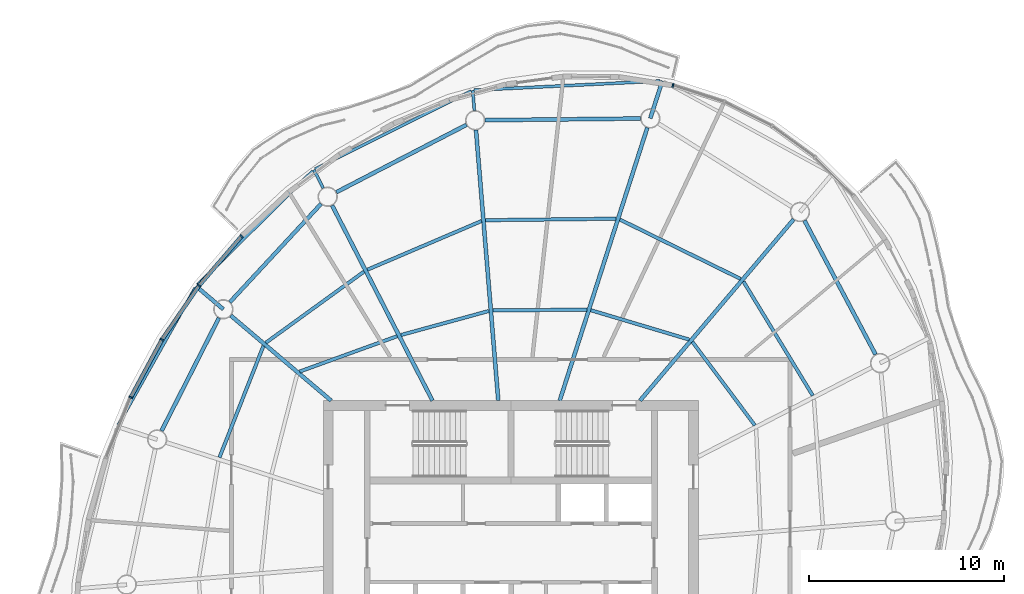
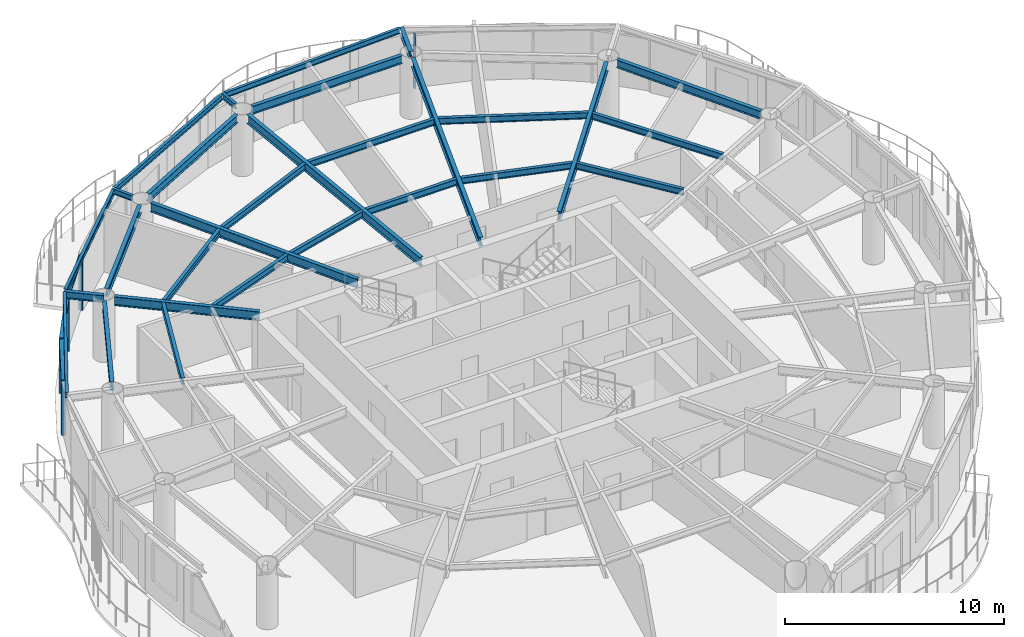
# One storey, part 5 of 14: 29 beams, 8 members, 5 elements without a shape of their own.
"""IFC4 building model written with IfcOpenShell, lengths in metres."""

from ifc_helpers import new_model, si_unit, direction, frame, origin, origin_2d, place, context, subcontext, project, spatial, rectangle, i_section, extrude, material, material_profile, profile_set, type_object, element, aggregate, save


model = new_model("IFC4")

# Units and contexts
model_context = context("Model", 3, precision=1e-05, world=origin(), true_north=direction((0.0, 1.0)))
body_context = subcontext(model_context, "Body", "Model", "MODEL_VIEW")
ifc_project = project(units=[si_unit("LENGTHUNIT", "METRE"), si_unit("AREAUNIT", "SQUARE_METRE"), si_unit("VOLUMEUNIT", "CUBIC_METRE"), si_unit("PLANEANGLEUNIT", "RADIAN"), si_unit("MASSUNIT", "GRAM", prefix="KILO")], contexts=[model_context])

# Site, building, storey
site_placement = place(None, origin())
site = spatial("IfcSite", under=ifc_project, at=site_placement, CompositionType="ELEMENT")
building_placement = place(site_placement, origin())
building = spatial("IfcBuilding", under=site, at=building_placement, Name="Vermilion Reach Broadcast Tower", CompositionType="ELEMENT")
storey_placement = place(building_placement, frame((0.0, 0.0, 268.5)))
storey = spatial("IfcBuildingStorey", under=building, at=storey_placement, Name="L66", CompositionType="ELEMENT", Elevation=268.5)

# Beams
ifc_material_1 = material(Name="Steel S355J2", Category="steel")
ifc_material_profile_1 = material_profile(ifc_material_1, i_section(OverallWidth=0.14990234375, OverallDepth=0.300048828125, WebThickness=0.006591796875, FlangeThickness=0.009033203125, at=origin_2d()), Name="S355J2 HN 300x150x6.5x9")
ifc_profile_set_1 = profile_set([ifc_material_profile_1], Name="Steel S355J2")
beam_type_1 = type_object("IfcBeamType", Name="EB5 HN 300x150x6.5x9", PredefinedType="BEAM", material=ifc_profile_set_1)
beam_1_placement = place(storey_placement, frame((1.647705078125, 24.1611328125, 3.300048828125), z_axis=(-0.998787332885, -0.049232749952, 0.0), x_axis=(0.049232749952, -0.998787332885, 0.0)))
element("IfcBeam", 1, at=beam_1_placement, inside=storey, type_object=beam_type_1, Name="Edge beam EB5-01", PredefinedType="BEAM", context=body_context, shape_type="SweptSolid", body=[
    extrude(i_section(OverallWidth=0.14990234375, OverallDepth=0.300048828125, WebThickness=0.006591796875, FlangeThickness=0.009033203125, at=origin_2d()), origin(), (0.0, 0.0, 1.0), 9.535888671875),
])
beam_2_placement = place(storey_placement, frame((-8.02392578125, 23.65185546875, 3.300048828125), z_axis=(-0.894197693864, -0.447672295645, 0.0), x_axis=(0.447672295645, -0.894197693864, 0.0)))
element("IfcBeam", 2, at=beam_2_placement, inside=storey, type_object=beam_type_1, Name="Edge beam EB5-02", PredefinedType="BEAM", context=body_context, shape_type="SweptSolid", body=[
    extrude(i_section(OverallWidth=0.14990234375, OverallDepth=0.300048828125, WebThickness=0.006591796875, FlangeThickness=0.009033203125, at=origin_2d()), origin(), (0.0, 0.0, 1.0), 8.940673828125),
])
beam_3_placement = place(storey_placement, frame((-16.141357421875, 19.560546875, 3.300048828125), z_axis=(-0.711230089376, -0.702959287559, 0.0), x_axis=(0.702959287559, -0.711230089376, 0.0)))
element("IfcBeam", 3, at=beam_3_placement, inside=storey, type_object=beam_type_1, Name="Edge beam EB5-03", PredefinedType="BEAM", context=body_context, shape_type="SweptSolid", body=[
    extrude(i_section(OverallWidth=0.14990234375, OverallDepth=0.300048828125, WebThickness=0.006591796875, FlangeThickness=0.009033203125, at=origin_2d()), origin(), (0.0, 0.0, 1.0), 8.294677734375),
])
beam_4_placement = place(storey_placement, frame((-22.161865234375, 13.5703125, 3.300048828125), z_axis=(-0.489276871592, -0.87212851285, 0.0), x_axis=(0.87212851285, -0.489276871592, 0.0)))
element("IfcBeam", 4, at=beam_4_placement, inside=storey, type_object=beam_type_1, Name="Edge beam EB5-04", PredefinedType="BEAM", context=body_context, shape_type="SweptSolid", body=[
    extrude(i_section(OverallWidth=0.14990234375, OverallDepth=0.300048828125, WebThickness=0.006591796875, FlangeThickness=0.009033203125, at=origin_2d()), origin(), (0.0, 0.0, 1.0), 8.045166015625),
])
ifc_material_2 = material(Name="Steel S355J2", Category="steel")
ifc_material_profile_2 = material_profile(ifc_material_2, i_section(OverallWidth=0.199951171875, OverallDepth=0.5, WebThickness=0.010009765625, FlangeThickness=0.01611328125, at=origin_2d()), Name="S355J2 HN 500x200x10x16")
ifc_profile_set_2 = profile_set([ifc_material_profile_2], Name="Steel S355J2")
beam_type_2 = type_object("IfcBeamType", Name="G5 HN 500x200x10x16", PredefinedType="BEAM", material=ifc_profile_set_2)
beam_5_placement = place(storey_placement, frame((-3.497314453125, 7.800048828125, 3.199951171875), z_axis=(0.305545401295, 0.952177508528, 0.0), x_axis=(-0.952177508528, 0.305545401295, 0.0)))
element("IfcBeam", 5, at=beam_5_placement, inside=storey, type_object=beam_type_2, Name="Girder G5-01", PredefinedType="BEAM", context=body_context, shape_type="SweptSolid", body=[
    extrude(i_section(OverallWidth=0.199951171875, OverallDepth=0.5, WebThickness=0.010009765625, FlangeThickness=0.01611328125, at=origin_2d()), origin(), (0.0, 0.0, 1.0), 14.672607421875),
])
beam_6_placement = place(storey_placement, frame((-6.642578125, 7.800048828125, 3.199951171875), z_axis=(-0.082123744247, 0.996622140347, 0.0), x_axis=(-0.996622140347, -0.082123744247, 0.0)))
element("IfcBeam", 6, at=beam_6_placement, inside=storey, type_object=beam_type_2, Name="Girder G5-02", PredefinedType="BEAM", context=body_context, shape_type="SweptSolid", body=[
    extrude(i_section(OverallWidth=0.199951171875, OverallDepth=0.5, WebThickness=0.010009765625, FlangeThickness=0.01611328125, at=origin_2d()), origin(), (0.0, 0.0, 1.0), 13.89794921875),
])
beam_7_placement = place(storey_placement, frame((-10.010498046875, 7.800048828125, 3.199951171875), z_axis=(-0.457258168112, 0.889334002327, 0.0), x_axis=(-0.889334002327, -0.457258168112, 0.0)))
element("IfcBeam", 7, at=beam_7_placement, inside=storey, type_object=beam_type_2, Name="Girder G5-03", PredefinedType="BEAM", context=body_context, shape_type="SweptSolid", body=[
    extrude(i_section(OverallWidth=0.199951171875, OverallDepth=0.5, WebThickness=0.010009765625, FlangeThickness=0.01611328125, at=origin_2d()), origin(), (0.0, 0.0, 1.0), 11.236328125),
])
beam_8_placement = place(storey_placement, frame((-15.20068359375, 7.800048828125, 3.199951171875), z_axis=(-0.762793125612, 0.646642596431, 0.0), x_axis=(-0.646642596431, -0.762793125612, 0.0)))
element("IfcBeam", 8, at=beam_8_placement, inside=storey, type_object=beam_type_2, Name="Girder G5-04", PredefinedType="BEAM", context=body_context, shape_type="SweptSolid", body=[
    extrude(i_section(OverallWidth=0.199951171875, OverallDepth=0.5, WebThickness=0.010009765625, FlangeThickness=0.01611328125, at=origin_2d()), origin(), (0.0, 0.0, 1.0), 6.732421875),
])
beam_9_placement = place(storey_placement, frame((0.612548828125, 7.800048828125, 3.199951171875), z_axis=(0.646658335602, 0.762779782766, 0.0), x_axis=(-0.762779782766, 0.646658335602, 0.0)))
element("IfcBeam", 9, at=beam_9_placement, inside=storey, type_object=beam_type_2, Name="Girder G5-16", PredefinedType="BEAM", context=body_context, shape_type="SweptSolid", body=[
    extrude(i_section(OverallWidth=0.199951171875, OverallDepth=0.5, WebThickness=0.010009765625, FlangeThickness=0.01611328125, at=origin_2d()), origin(), (0.0, 0.0, 1.0), 12.16064453125),
])
ifc_material_3 = material(Name="Steel S355J2", Category="steel")
ifc_material_profile_3 = material_profile(ifc_material_3, i_section(OverallWidth=0.199951171875, OverallDepth=0.39990234375, WebThickness=0.008056640625, FlangeThickness=0.012939453125, at=origin_2d()), Name="S355J2 HN 400x200x8x13")
ifc_profile_set_3 = profile_set([ifc_material_profile_3], Name="Steel S355J2")
beam_type_3 = type_object("IfcBeamType", Name="GC5 HN 400x200x8x13", PredefinedType="BEAM", material=ifc_profile_set_3)
beam_10_placement = place(storey_placement, frame((1.138427734375, 22.2470703125, 3.25), z_axis=(0.305562227311, 0.952172109044, 0.0), x_axis=(-0.952172109044, 0.305562227311, 0.0)))
element("IfcBeam", 10, at=beam_10_placement, inside=storey, type_object=beam_type_3, Name="Cantilever girder GC5-01", PredefinedType="BEAM", context=body_context, shape_type="SweptSolid", body=[
    extrude(i_section(OverallWidth=0.199951171875, OverallDepth=0.39990234375, WebThickness=0.008056640625, FlangeThickness=0.012939453125, at=origin_2d()), origin(), (0.0, 0.0, 1.0), 2.015869140625),
])
beam_11_placement = place(storey_placement, frame((-20.717529296875, 12.476806640625, 3.25), z_axis=(-0.762742644331, 0.646702140493, 0.0), x_axis=(-0.646702140493, -0.762742644331, 0.0)))
element("IfcBeam", 11, at=beam_11_placement, inside=storey, type_object=beam_type_3, Name="Cantilever girder GC5-04", PredefinedType="BEAM", context=body_context, shape_type="SweptSolid", body=[
    extrude(i_section(OverallWidth=0.199951171875, OverallDepth=0.39990234375, WebThickness=0.008056640625, FlangeThickness=0.012939453125, at=origin_2d()), origin(), (0.0, 0.0, 1.0), 1.828369140625),
])
ifc_material_4 = material(Name="Steel S355J2", Category="steel")
ifc_material_profile_4 = material_profile(ifc_material_4, i_section(OverallWidth=0.14990234375, OverallDepth=0.300048828125, WebThickness=0.006591796875, FlangeThickness=0.009033203125, at=origin_2d()), Name="S355J2 HN 300x150x6.5x9")
ifc_profile_set_4 = profile_set([ifc_material_profile_4], Name="Steel S355J2")
beam_type_4 = type_object("IfcBeamType", Name="GS5 HN 300x150x6.5x9", PredefinedType="BEAM", material=ifc_profile_set_4)
beam_12_placement = place(storey_placement, frame((-7.865966796875, 22.647705078125, 3.300048828125), z_axis=(-0.082096959827, 0.996624347077, 0.0), x_axis=(-0.996624347077, -0.082096959827, 0.0)))
element("IfcBeam", 12, at=beam_12_placement, inside=storey, type_object=beam_type_4, Name="Cantilever stub GS5-02", PredefinedType="BEAM", context=body_context, shape_type="SweptSolid", body=[
    extrude(i_section(OverallWidth=0.14990234375, OverallDepth=0.300048828125, WebThickness=0.006591796875, FlangeThickness=0.009033203125, at=origin_2d()), origin(), (0.0, 0.0, 1.0), 1.043701171875),
])
beam_13_placement = place(storey_placement, frame((-15.60546875, 18.682373046875, 3.300048828125), z_axis=(-0.457232399451, 0.889347251017, 0.0), x_axis=(-0.889347251017, -0.457232399451, 0.0)))
element("IfcBeam", 13, at=beam_13_placement, inside=storey, type_object=beam_type_4, Name="Cantilever stub GS5-03", PredefinedType="BEAM", context=body_context, shape_type="SweptSolid", body=[
    extrude(i_section(OverallWidth=0.14990234375, OverallDepth=0.300048828125, WebThickness=0.006591796875, FlangeThickness=0.009033203125, at=origin_2d()), origin(), (0.0, 0.0, 1.0), 1.0498046875),
])
ifc_material_5 = material(Name="Steel S355J2", Category="steel")
ifc_material_profile_5 = material_profile(ifc_material_5, i_section(OverallWidth=0.199951171875, OverallDepth=0.449951171875, WebThickness=0.009033203125, FlangeThickness=0.013916015625, at=origin_2d()), Name="S355J2 HN 450x200x9x14")
ifc_profile_set_5 = profile_set([ifc_material_profile_5], Name="Steel S355J2")
beam_type_5 = type_object("IfcBeamType", Name="RB5 HN 450x200x9x14", PredefinedType="BEAM", material=ifc_profile_set_5)
beam_14_placement = place(storey_placement, frame((0.638427734375, 22.24169921875, 3.22509765625), z_axis=(-0.999940445231, -0.010913569149, 0.0), x_axis=(0.010913569149, -0.999940445231, 0.0)))
element("IfcBeam", 14, at=beam_14_placement, inside=storey, type_object=beam_type_5, Name="Ring beam RB5-01", PredefinedType="BEAM", context=body_context, shape_type="SweptSolid", body=[
    extrude(i_section(OverallWidth=0.199951171875, OverallDepth=0.449951171875, WebThickness=0.009033203125, FlangeThickness=0.013916015625, at=origin_2d()), origin(), (0.0, 0.0, 1.0), 7.9638671875),
])
beam_15_placement = place(storey_placement, frame((-8.268798828125, 21.91943359375, 3.22509765625), z_axis=(-0.887960248279, -0.459920207729, 0.0), x_axis=(0.459920207729, -0.887960248279, 0.0)))
element("IfcBeam", 15, at=beam_15_placement, inside=storey, type_object=beam_type_5, Name="Ring beam RB5-02", PredefinedType="BEAM", context=body_context, shape_type="SweptSolid", body=[
    extrude(i_section(OverallWidth=0.199951171875, OverallDepth=0.449951171875, WebThickness=0.009033203125, FlangeThickness=0.013916015625, at=origin_2d()), origin(), (0.0, 0.0, 1.0), 7.5048828125),
])
beam_16_placement = place(storey_placement, frame((-15.716796875, 17.87109375, 3.22509765625), z_axis=(-0.679837550075, -0.733362738014, 0.0), x_axis=(0.733362738014, -0.679837550075, 0.0)))
element("IfcBeam", 16, at=beam_16_placement, inside=storey, type_object=beam_type_5, Name="Ring beam RB5-03", PredefinedType="BEAM", context=body_context, shape_type="SweptSolid", body=[
    extrude(i_section(OverallWidth=0.199951171875, OverallDepth=0.449951171875, WebThickness=0.009033203125, FlangeThickness=0.013916015625, at=origin_2d()), origin(), (0.0, 0.0, 1.0), 6.85546875),
])
beam_17_placement = place(storey_placement, frame((-20.944091796875, 12.03125, 3.22509765625), z_axis=(-0.453052302855, -0.891483937532, 0.0), x_axis=(0.891483937532, -0.453052302855, 0.0)))
element("IfcBeam", 17, at=beam_17_placement, inside=storey, type_object=beam_type_5, Name="Ring beam RB5-04", PredefinedType="BEAM", context=body_context, shape_type="SweptSolid", body=[
    extrude(i_section(OverallWidth=0.199951171875, OverallDepth=0.449951171875, WebThickness=0.009033203125, FlangeThickness=0.013916015625, at=origin_2d()), origin(), (0.0, 0.0, 1.0), 6.47900390625),
])
beam_18_placement = place(storey_placement, frame((12.671142578125, 10.161865234375, 3.22509765625), z_axis=(-0.468767917375, 0.883321368269, 0.0), x_axis=(-0.883321368269, -0.468767917375, 0.0)))
element("IfcBeam", 18, at=beam_18_placement, inside=storey, type_object=beam_type_5, Name="Ring beam RB5-15", PredefinedType="BEAM", context=body_context, shape_type="SweptSolid", body=[
    extrude(i_section(OverallWidth=0.199951171875, OverallDepth=0.449951171875, WebThickness=0.009033203125, FlangeThickness=0.013916015625, at=origin_2d()), origin(), (0.0, 0.0, 1.0), 7.759033203125),
])
ifc_material_6 = material(Name="Steel S355J2", Category="steel")
ifc_material_profile_6 = material_profile(ifc_material_6, i_section(OverallWidth=0.175048828125, OverallDepth=0.35009765625, WebThickness=0.007080078125, FlangeThickness=0.010986328125, at=origin_2d()), Name="S355J2 HN 350x175x7x11")
ifc_profile_set_6 = profile_set([ifc_material_profile_6], Name="Steel S355J2")
beam_type_6 = type_object("IfcBeamType", Name="SB5 HN 350x175x7x11", PredefinedType="BEAM", material=ifc_profile_set_6)
beam_19_placement = place(storey_placement, frame((-2.108154296875, 12.4560546875, 3.27490234375), z_axis=(-0.999968312294, -0.007960804474, 0.0), x_axis=(0.007960804474, -0.999968312294, 0.0)))
element("IfcBeam", 19, at=beam_19_placement, inside=storey, type_object=beam_type_6, Name="Secondary beam SB5-01-1", PredefinedType="BEAM", context=body_context, shape_type="SweptSolid", body=[
    extrude(i_section(OverallWidth=0.175048828125, OverallDepth=0.35009765625, WebThickness=0.007080078125, FlangeThickness=0.010986328125, at=origin_2d()), origin(), (0.0, 0.0, 1.0), 4.81494140625),
])
beam_20_placement = place(storey_placement, frame((-0.614013671875, 17.11279296875, 3.27490234375), z_axis=(-0.999932654133, -0.011605481368, 0.0), x_axis=(0.011605481368, -0.999932654133, 0.0)))
element("IfcBeam", 20, at=beam_20_placement, inside=storey, type_object=beam_type_6, Name="Secondary beam SB5-01-2", PredefinedType="BEAM", context=body_context, shape_type="SweptSolid", body=[
    extrude(i_section(OverallWidth=0.175048828125, OverallDepth=0.35009765625, WebThickness=0.007080078125, FlangeThickness=0.010986328125, at=origin_2d()), origin(), (0.0, 0.0, 1.0), 6.689697265625),
])
beam_21_placement = place(storey_placement, frame((-7.12109375, 12.39013671875, 3.27490234375), z_axis=(-0.964547496851, -0.263909314573, 0.0), x_axis=(0.263909314573, -0.964547496851, 0.0)))
element("IfcBeam", 21, at=beam_21_placement, inside=storey, type_object=beam_type_6, Name="Secondary beam SB5-02-1", PredefinedType="BEAM", context=body_context, shape_type="SweptSolid", body=[
    extrude(i_section(OverallWidth=0.175048828125, OverallDepth=0.35009765625, WebThickness=0.007080078125, FlangeThickness=0.010986328125, at=origin_2d()), origin(), (0.0, 0.0, 1.0), 4.6689453125),
])
beam_22_placement = place(storey_placement, frame((-7.50048828125, 16.99267578125, 3.27490234375), z_axis=(-0.919880986172, -0.392197617637, 0.0), x_axis=(0.392197617637, -0.919880986172, 0.0)))
element("IfcBeam", 22, at=beam_22_placement, inside=storey, type_object=beam_type_6, Name="Secondary beam SB5-02-2", PredefinedType="BEAM", context=body_context, shape_type="SweptSolid", body=[
    extrude(i_section(OverallWidth=0.175048828125, OverallDepth=0.35009765625, WebThickness=0.007080078125, FlangeThickness=0.010986328125, at=origin_2d()), origin(), (0.0, 0.0, 1.0), 6.351806640625),
])
beam_23_placement = place(storey_placement, frame((-11.81787109375, 11.0966796875, 3.27490234375), z_axis=(-0.940220108875, -0.340567389613, 0.0), x_axis=(0.340567389613, -0.940220108875, 0.0)))
element("IfcBeam", 23, at=beam_23_placement, inside=storey, type_object=beam_type_6, Name="Secondary beam SB5-03-1", PredefinedType="BEAM", context=body_context, shape_type="SweptSolid", body=[
    extrude(i_section(OverallWidth=0.175048828125, OverallDepth=0.35009765625, WebThickness=0.007080078125, FlangeThickness=0.010986328125, at=origin_2d()), origin(), (0.0, 0.0, 1.0), 5.303466796875),
])
beam_24_placement = place(storey_placement, frame((-13.517578125, 14.402587890625, 3.27490234375), z_axis=(-0.809771251518, -0.586745703192, 0.0), x_axis=(0.586745703192, -0.809771251518, 0.0)))
element("IfcBeam", 24, at=beam_24_placement, inside=storey, type_object=beam_type_6, Name="Secondary beam SB5-03-2", PredefinedType="BEAM", context=body_context, shape_type="SweptSolid", body=[
    extrude(i_section(OverallWidth=0.175048828125, OverallDepth=0.35009765625, WebThickness=0.007080078125, FlangeThickness=0.010986328125, at=origin_2d()), origin(), (0.0, 0.0, 1.0), 6.20361328125),
])
beam_25_placement = place(storey_placement, frame((-18.6630859375, 10.604248046875, 3.27490234375), z_axis=(-0.366931189603, -0.930248086317, 0.0), x_axis=(0.930248086317, -0.366931189603, 0.0)))
element("IfcBeam", 25, at=beam_25_placement, inside=storey, type_object=beam_type_6, Name="Secondary beam SB5-04-2", PredefinedType="BEAM", context=body_context, shape_type="SweptSolid", body=[
    extrude(i_section(OverallWidth=0.175048828125, OverallDepth=0.35009765625, WebThickness=0.007080078125, FlangeThickness=0.010986328125, at=origin_2d()), origin(), (0.0, 0.0, 1.0), 6.141357421875),
])
beam_26_placement = place(storey_placement, frame((6.492919921875, 6.53564453125, 3.27490234375), z_axis=(-0.599055582645, 0.800707442767, 0.0), x_axis=(-0.800707442767, -0.599055582645, 0.0)))
element("IfcBeam", 26, at=beam_26_placement, inside=storey, type_object=beam_type_6, Name="Secondary beam SB5-15-1", PredefinedType="BEAM", context=body_context, shape_type="SweptSolid", body=[
    extrude(i_section(OverallWidth=0.175048828125, OverallDepth=0.35009765625, WebThickness=0.007080078125, FlangeThickness=0.010986328125, at=origin_2d()), origin(), (0.0, 0.0, 1.0), 5.337890625),
])
beam_27_placement = place(storey_placement, frame((9.455078125, 8.058837890625, 3.27490234375), z_axis=(-0.519272962556, 0.854608442714, 0.0), x_axis=(-0.854608442714, -0.519272962556, 0.0)))
element("IfcBeam", 27, at=beam_27_placement, inside=storey, type_object=beam_type_6, Name="Secondary beam SB5-15-2", PredefinedType="BEAM", context=body_context, shape_type="SweptSolid", body=[
    extrude(i_section(OverallWidth=0.175048828125, OverallDepth=0.35009765625, WebThickness=0.007080078125, FlangeThickness=0.010986328125, at=origin_2d()), origin(), (0.0, 0.0, 1.0), 6.82763671875),
])
beam_28_placement = place(storey_placement, frame((3.129150390625, 10.92333984375, 3.27490234375), z_axis=(-0.958124906971, 0.286350593925, 0.0), x_axis=(-0.286350593925, -0.958124906971, 0.0)))
element("IfcBeam", 28, at=beam_28_placement, inside=storey, type_object=beam_type_6, Name="Secondary beam SB5-16-1", PredefinedType="BEAM", context=body_context, shape_type="SweptSolid", body=[
    extrude(i_section(OverallWidth=0.175048828125, OverallDepth=0.35009765625, WebThickness=0.007080078125, FlangeThickness=0.010986328125, at=origin_2d()), origin(), (0.0, 0.0, 1.0), 5.25634765625),
])
beam_29_placement = place(storey_placement, frame((5.762451171875, 14.029541015625, 3.27490234375), z_axis=(-0.897335928087, 0.441348198325, 0.0), x_axis=(-0.441348198325, -0.897335928087, 0.0)))
element("IfcBeam", 29, at=beam_29_placement, inside=storey, type_object=beam_type_6, Name="Secondary beam SB5-16-2", PredefinedType="BEAM", context=body_context, shape_type="SweptSolid", body=[
    extrude(i_section(OverallWidth=0.175048828125, OverallDepth=0.35009765625, WebThickness=0.007080078125, FlangeThickness=0.010986328125, at=origin_2d()), origin(), (0.0, 0.0, 1.0), 6.887451171875),
])

# Curtain wall, member
ifc_material_7 = material(Name="Low-e laminated clear glass in aluminium frame", Category="aluminium")
curtain_wall_type = type_object("IfcCurtainWallType", Name="Slot curtain wall", PredefinedType="NOTDEFINED", material=ifc_material_7)
placement = place(storey_placement, origin())
curtain_wall_1 = element("IfcCurtainWall", 30, at=placement, inside=storey, type_object=curtain_wall_type, Name="Slot curtain wall L66 01", PredefinedType="NOTDEFINED")
ifc_material_8 = material(Name="Anodised aluminium", Category="aluminium")
ifc_material_profile_7 = material_profile(ifc_material_8, rectangle(XDim=0.199951171875, YDim=0.080078125, at=origin_2d()), Name="Slot mullion 80 x 200")
ifc_profile_set_7 = profile_set([ifc_material_profile_7], Name="Anodised aluminium")
member_type_1 = type_object("IfcMemberType", Name="Slot mullion 80 x 200", PredefinedType="MULLION", material=ifc_profile_set_7)
member_1_placement = place(storey_placement, frame((2.29833984375, 23.932373046875, 0.0), z_axis=(0.0, 0.0, 1.0), x_axis=(-0.231179465637, -0.972911123725, 0.0)))
member_1 = element("IfcMember", 31, at=member_1_placement, type_object=member_type_1, Name="Slot mullion L66 02", PredefinedType="MULLION", context=body_context, shape_type="SweptSolid", body=[
    extrude(rectangle(XDim=0.199951171875, YDim=0.080078125, at=origin_2d()), origin(), (0.0, 0.0, 1.0), 3.050048828125),
])
aggregate(curtain_wall_1, [member_1])

curtain_wall_2 = element("IfcCurtainWall", 32, at=placement, inside=storey, type_object=curtain_wall_type, Name="Slot curtain wall L66 10", PredefinedType="NOTDEFINED")
member_2_placement = place(storey_placement, frame((-19.7861328125, 16.21435546875, 0.0), z_axis=(0.0, 0.0, 1.0), x_axis=(0.721264978254, -0.692659246054, 0.0)))
member_2 = element("IfcMember", 33, at=member_2_placement, type_object=member_type_1, Name="Slot mullion L66 10", PredefinedType="MULLION", context=body_context, shape_type="SweptSolid", body=[
    extrude(rectangle(XDim=0.199951171875, YDim=0.080078125, at=origin_2d()), origin(), (0.0, 0.0, 1.0), 3.050048828125),
])

curtain_wall_3 = element("IfcCurtainWall", 34, at=placement, inside=storey, type_object=curtain_wall_type, Name="Slot curtain wall L66 11", PredefinedType="NOTDEFINED")
member_3_placement = place(storey_placement, frame((-21.96142578125, 13.68505859375, 0.0), z_axis=(0.0, 0.0, 1.0), x_axis=(0.792226526685, -0.6102271138, 0.0)))
member_3 = element("IfcMember", 35, at=member_3_placement, type_object=member_type_1, Name="Slot mullion L66 11", PredefinedType="MULLION", context=body_context, shape_type="SweptSolid", body=[
    extrude(rectangle(XDim=0.199951171875, YDim=0.080078125, at=origin_2d()), origin(), (0.0, 0.0, 1.0), 3.050048828125),
])

curtain_wall_4 = element("IfcCurtainWall", 36, at=placement, inside=storey, type_object=curtain_wall_type, Name="Slot curtain wall L66 12", PredefinedType="NOTDEFINED")
member_4_placement = place(storey_placement, frame((-23.862548828125, 10.92041015625, 0.0), z_axis=(0.0, 0.0, 1.0), x_axis=(0.853186876297, -0.521605362429, 0.0)))
member_4 = element("IfcMember", 37, at=member_4_placement, type_object=member_type_1, Name="Slot mullion L66 12", PredefinedType="MULLION", context=body_context, shape_type="SweptSolid", body=[
    extrude(rectangle(XDim=0.199951171875, YDim=0.080078125, at=origin_2d()), origin(), (0.0, 0.0, 1.0), 3.050048828125),
])

curtain_wall_5 = element("IfcCurtainWall", 38, at=placement, inside=storey, type_object=curtain_wall_type, Name="Slot curtain wall L66 13", PredefinedType="NOTDEFINED")
member_5_placement = place(storey_placement, frame((-25.45654296875, 7.968017578125, 0.0), z_axis=(0.0, 0.0, 1.0), x_axis=(0.904275875343, -0.426948640087, 0.0)))
member_5 = element("IfcMember", 39, at=member_5_placement, type_object=member_type_1, Name="Slot mullion L66 13", PredefinedType="MULLION", context=body_context, shape_type="SweptSolid", body=[
    extrude(rectangle(XDim=0.199951171875, YDim=0.080078125, at=origin_2d()), origin(), (0.0, 0.0, 1.0), 3.050048828125),
])
aggregate(curtain_wall_5, [member_5])

# Member
ifc_material_9 = material(Name="Anodised aluminium", Category="aluminium")
ifc_material_profile_8 = material_profile(ifc_material_9, rectangle(XDim=0.199951171875, YDim=0.10009765625, at=origin_2d()), Name="Slot transom 200 x 100")
ifc_profile_set_8 = profile_set([ifc_material_profile_8], Name="Anodised aluminium")
member_type_2 = type_object("IfcMemberType", Name="Slot transom 200 x 100", PredefinedType="USERDEFINED", material=ifc_profile_set_8)
member_6_placement = place(storey_placement, frame((-19.81201171875, 16.18408203125, 3.0), z_axis=(-0.652105643664, -0.758128108898, 0.0), x_axis=(0.758128108898, -0.652105643664, 0.0)))
member_6 = element("IfcMember", 40, at=member_6_placement, type_object=member_type_2, Name="Slot transom L66 10.1", ObjectType="TRANSOM", PredefinedType="USERDEFINED", context=body_context, shape_type="SweptSolid", body=[
    extrude(rectangle(XDim=0.199951171875, YDim=0.10009765625, at=origin_2d()), origin(), (0.0, 0.0, 1.0), 3.256103515625),
])

aggregate(curtain_wall_2, [member_2, member_6])

member_7_placement = place(storey_placement, frame((-21.984130859375, 13.652099609375, 3.0), z_axis=(-0.566598420338, -0.823994071624, 0.0), x_axis=(0.823994071624, -0.566598420338, 0.0)))
member_7 = element("IfcMember", 41, at=member_7_placement, type_object=member_type_2, Name="Slot transom L66 11.1", ObjectType="TRANSOM", PredefinedType="USERDEFINED", context=body_context, shape_type="SweptSolid", body=[
    extrude(rectangle(XDim=0.199951171875, YDim=0.10009765625, at=origin_2d()), origin(), (0.0, 0.0, 1.0), 3.275146484375),
])

aggregate(curtain_wall_3, [member_3, member_7])

member_8_placement = place(storey_placement, frame((-23.881591796875, 10.88525390625, 3.0), z_axis=(-0.475050800935, -0.879958372044, 0.0), x_axis=(0.879958372044, -0.475050800935, 0.0)))
member_8 = element("IfcMember", 42, at=member_8_placement, type_object=member_type_2, Name="Slot transom L66 12.1", ObjectType="TRANSOM", PredefinedType="USERDEFINED", context=body_context, shape_type="SweptSolid", body=[
    extrude(rectangle(XDim=0.199951171875, YDim=0.10009765625, at=origin_2d()), origin(), (0.0, 0.0, 1.0), 3.275146484375),
])

aggregate(curtain_wall_4, [member_4, member_8])

save(model, "model.ifc")
